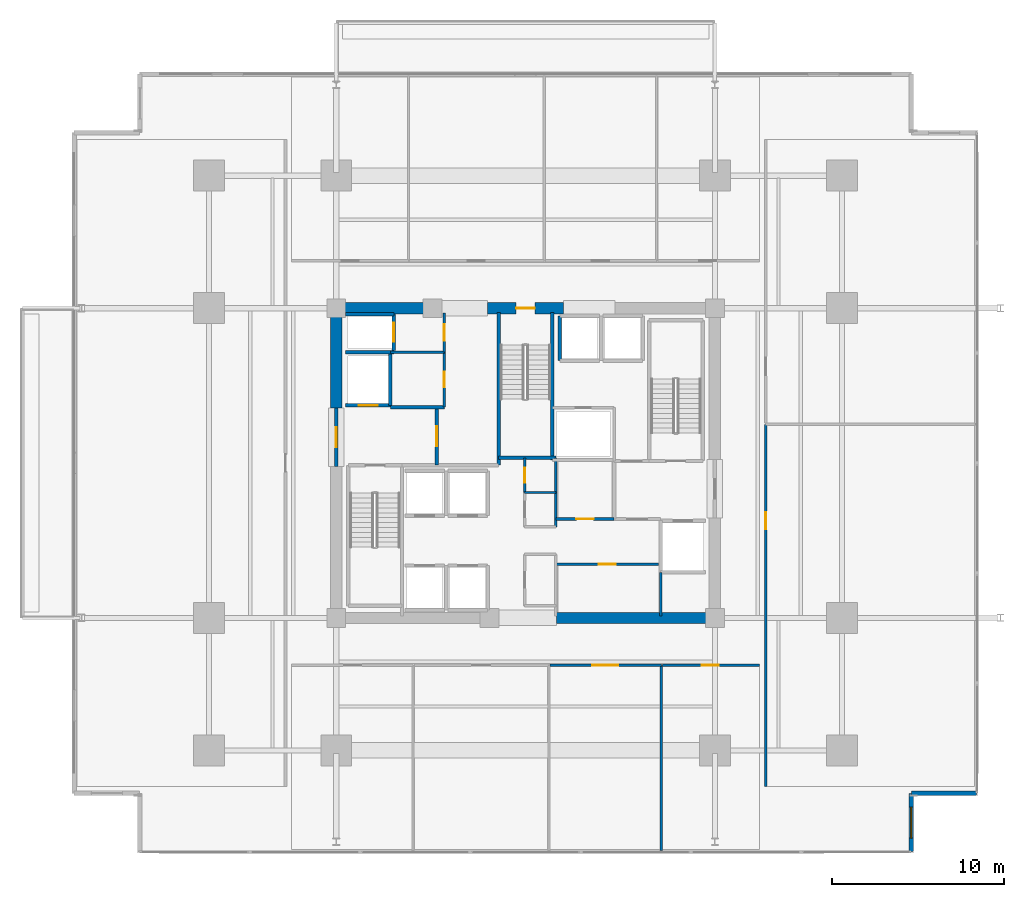
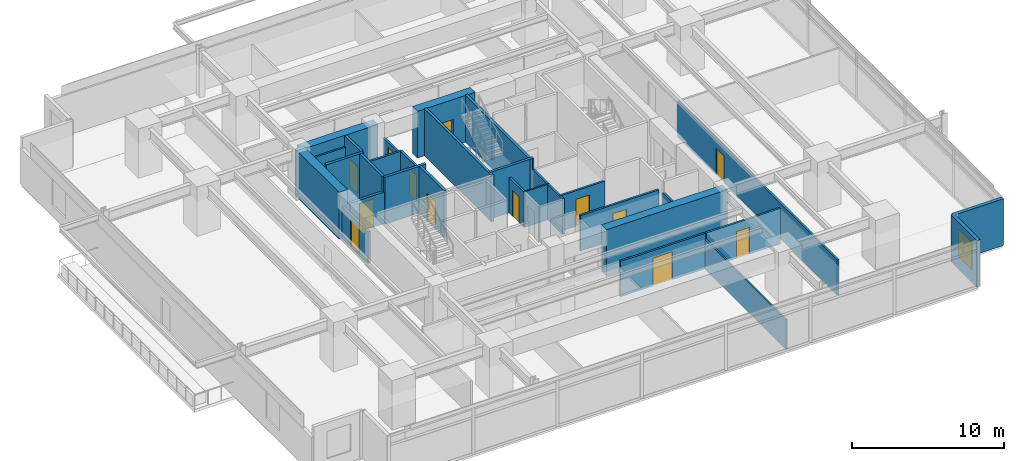
# One storey, part 16 of 22: 31 walls, 13 doors, 1 window, 14 openings.
"""IFC4 building model written with IfcOpenShell, lengths in metres."""

from ifc_helpers import new_model, si_unit, direction, frame, frame_2d, origin, place, context, subcontext, project, spatial, rectangle, extrude, material, layer, layer_set, type_object, element, fill, save


model = new_model("IFC4")

# Units and contexts
model_context = context("Model", 3, precision=1e-05, world=origin(), true_north=direction((0.0, 1.0)))
body_context = subcontext(model_context, "Body", "Model", "MODEL_VIEW")
ifc_project = project(units=[si_unit("LENGTHUNIT", "METRE"), si_unit("AREAUNIT", "SQUARE_METRE"), si_unit("VOLUMEUNIT", "CUBIC_METRE"), si_unit("PLANEANGLEUNIT", "RADIAN"), si_unit("MASSUNIT", "GRAM", prefix="KILO")], contexts=[model_context])

# Site, building, storey
site_placement = place(None, origin())
site = spatial("IfcSite", under=ifc_project, at=site_placement, CompositionType="ELEMENT")
building_placement = place(site_placement, origin())
building = spatial("IfcBuilding", under=site, at=building_placement, Name="Kovane Verandah Tower", CompositionType="ELEMENT")
storey_placement = place(building_placement, frame((0.0, 0.0, 79.60009765625)))
storey = spatial("IfcBuildingStorey", under=building, at=storey_placement, Name="L18", CompositionType="ELEMENT", Elevation=79.60009765625)

# Wall
ifc_material_1 = material(Name="Fire-Rated Gypsum Stud Partition", Category="gypsum")
ifc_layer_1 = layer(ifc_material_1, 0.14990234375)
ifc_layer_set_1 = layer_set([ifc_layer_1], Name="Fire-Rated Gypsum Stud Partition")
wall_type_1 = type_object("IfcWallType", Name="WL-COR-150", PredefinedType="PARTITIONING", material=ifc_layer_set_1)
wall_1_placement = place(storey_placement, frame((41.760009765625, 23.800048828125, 0.0), z_axis=(0.0, 0.0, 1.0), x_axis=(0.0, 1.0, 0.0)))
element("IfcWall", 1, at=wall_1_placement, inside=storey, type_object=wall_type_1, Name="L18 Central Core Strip Upper East Wall", PredefinedType="PARTITIONING", context=body_context, shape_type="SweptSolid", body=[
    extrude(rectangle(XDim=4.0, YDim=0.14990234375, at=frame_2d((2.0, 0.0))), origin(), (0.0, 0.0, 1.0), 2.849853515625),
])

# Wall, opening, door
wall_2_placement = place(storey_placement, frame((39.949951171875, 25.800048828125, 0.0), z_axis=(0.0, 0.0, 1.0), x_axis=(0.0, 1.0, 0.0)))
wall_2 = element("IfcWall", 2, at=wall_2_placement, inside=storey, type_object=wall_type_1, Name="L18 Telecom and BMS Riser Room Partition", PredefinedType="PARTITIONING", context=body_context, shape_type="SweptSolid", body=[
    extrude(rectangle(XDim=2.0, YDim=0.14990234375, at=frame_2d((1.0, 0.0))), origin(), (0.0, 0.0, 1.0), 2.849853515625),
])
opening_1_placement = place(wall_2_placement, frame((0.56005859375, 0.0, 0.0)))
opening_1 = element("IfcOpeningElement", 3, at=opening_1_placement, cuts=wall_2, Name="Opening DR-L18-025", PredefinedType="OPENING", context=body_context, shape_type="SweptSolid", body=[
    extrude(rectangle(XDim=0.8798828125, YDim=2.10009765625, at=frame_2d((0.43994140625, 1.050048828125))), frame((0.0, 0.074951171875, 0.0), z_axis=(0.0, -1.0, 0.0), x_axis=(1.0, 0.0, 0.0)), (0.0, 0.0, 1.0), 0.14990234375),
])
ifc_material_2 = material(Name="Fire-Rated Steel Riser Access Door", Category="steel")
door_type_1 = type_object("IfcDoorType", Name="DR-RISER-880", OperationType="SINGLE_SWING_LEFT", PredefinedType="DOOR", material=ifc_material_2)
door_1_placement = place(opening_1_placement, origin())
door_1 = element("IfcDoor", 4, at=door_1_placement, inside=storey, type_object=door_type_1, Name="L18 Telecom and BMS Riser Room Door", OperationType="SINGLE_SWING_RIGHT", OverallHeight=2.10009765625, OverallWidth=0.8798828125, PredefinedType="DOOR", context=body_context, shape_type="SweptSolid", body=[
    extrude(rectangle(XDim=0.8798828125, YDim=2.10009765625, at=frame_2d((0.43994140625, 1.050048828125))), frame((0.0, 0.02490234375, 0.0), z_axis=(0.0, -1.0, 0.0), x_axis=(1.0, 0.0, 0.0)), (0.0, 0.0, 1.0), 0.050048828125),
])
fill(opening_1, door_1)

# Wall
wall_3_placement = place(storey_placement, frame((32.14990234375, 33.949951171875, 0.0), z_axis=(0.0, 0.0, 1.0), x_axis=(1.0, 0.0, 0.0)))
element("IfcWall", 5, at=wall_3_placement, inside=storey, type_object=wall_type_1, Name="L18 Goods Lift Lobby South Wall", PredefinedType="PARTITIONING", context=body_context, shape_type="SweptSolid", body=[
    extrude(rectangle(XDim=3.130126953125, YDim=0.14990234375, at=frame_2d((1.56494140625, 0.0))), origin(), (0.0, 0.0, 1.0), 2.849853515625),
])

# Wall, opening, door
wall_4_placement = place(storey_placement, frame((35.280029296875, 33.949951171875, 0.0), z_axis=(0.0, 0.0, 1.0), x_axis=(0.0, 1.0, 0.0)))
wall_4 = element("IfcWall", 6, at=wall_4_placement, inside=storey, type_object=wall_type_1, Name="L18 Goods Lift Lobby East Fire Partition", PredefinedType="PARTITIONING", context=body_context, shape_type="SweptSolid", body=[
    extrude(rectangle(XDim=2.27001953125, YDim=0.14990234375, at=frame_2d((1.135009765625, 0.0))), origin(), (0.0, 0.0, 1.0), 2.539794921875),
])
opening_2_placement = place(wall_4_placement, frame((0.659912109375, 0.0, 0.0)))
opening_2 = element("IfcOpeningElement", 7, at=opening_2_placement, cuts=wall_4, Name="Opening DR-L18-008", PredefinedType="OPENING", context=body_context, shape_type="SweptSolid", body=[
    extrude(rectangle(XDim=0.949951171875, YDim=2.14990234375, at=frame_2d((0.47509765625, 1.074951171875))), frame((0.0, 0.074951171875, 0.0), z_axis=(0.0, -1.0, 0.0), x_axis=(1.0, 0.0, 0.0)), (0.0, 0.0, 1.0), 0.14990234375),
])
ifc_material_3 = material(Name="Fire-Rated Steel Refuge and Lobby Door", Category="steel")
door_type_2 = type_object("IfcDoorType", Name="DR-FIRE-950", OperationType="SINGLE_SWING_LEFT", PredefinedType="DOOR", material=ifc_material_3)
door_2_placement = place(opening_2_placement, origin())
door_2 = element("IfcDoor", 8, at=door_2_placement, inside=storey, type_object=door_type_2, Name="L18 Goods Lift Lobby Fire Door", OperationType="SINGLE_SWING_LEFT", OverallHeight=2.14990234375, OverallWidth=0.949951171875, PredefinedType="DOOR", context=body_context, shape_type="SweptSolid", body=[
    extrude(rectangle(XDim=0.949951171875, YDim=2.14990234375, at=frame_2d((0.47509765625, 1.074951171875))), frame((0.0, 0.02490234375, 0.0), z_axis=(0.0, -1.0, 0.0), x_axis=(1.0, 0.0, 0.0)), (0.0, 0.0, 1.0), 0.050048828125),
])
fill(opening_2, door_2)

wall_5_placement = place(storey_placement, frame((35.280029296875, 30.75, 0.0), z_axis=(0.0, 0.0, 1.0), x_axis=(0.0, 1.0, 0.0)))
wall_5 = element("IfcWall", 9, at=wall_5_placement, inside=storey, type_object=wall_type_1, Name="L18 Accessible Unisex Toilet Partition", PredefinedType="PARTITIONING", context=body_context, shape_type="SweptSolid", body=[
    extrude(rectangle(XDim=3.199951171875, YDim=0.14990234375, at=frame_2d((1.60009765625, 0.0))), origin(), (0.0, 0.0, 1.0), 2.849853515625),
])
opening_3_placement = place(wall_5_placement, frame((1.14990234375, 0.0, 0.0)))
opening_3 = element("IfcOpeningElement", 10, at=opening_3_placement, cuts=wall_5, Name="Opening DR-L18-026", PredefinedType="OPENING", context=body_context, shape_type="SweptSolid", body=[
    extrude(rectangle(XDim=0.89990234375, YDim=2.10009765625, at=frame_2d((0.449951171875, 1.050048828125))), frame((0.0, 0.074951171875, 0.0), z_axis=(0.0, -1.0, 0.0), x_axis=(1.0, 0.0, 0.0)), (0.0, 0.0, 1.0), 0.14990234375),
])
ifc_material_4 = material(Name="Moisture-Resistant Laminate Washroom Door", Category="wood")
door_type_3 = type_object("IfcDoorType", Name="DR-WC-900", OperationType="SINGLE_SWING_LEFT", PredefinedType="DOOR", material=ifc_material_4)
door_3_placement = place(opening_3_placement, origin())
door_3 = element("IfcDoor", 11, at=door_3_placement, inside=storey, type_object=door_type_3, Name="L18 Accessible Unisex Toilet Door", OperationType="SINGLE_SWING_RIGHT", OverallHeight=2.10009765625, OverallWidth=0.89990234375, PredefinedType="DOOR", context=body_context, shape_type="SweptSolid", body=[
    extrude(rectangle(XDim=0.89990234375, YDim=2.10009765625, at=frame_2d((0.449951171875, 1.050048828125))), frame((0.0, 0.02490234375, 0.0), z_axis=(0.0, -1.0, 0.0), x_axis=(1.0, 0.0, 0.0)), (0.0, 0.0, 1.0), 0.050048828125),
])
fill(opening_3, door_3)

# Wall
wall_6_placement = place(storey_placement, frame((47.85009765625, 18.60009765625, 0.0), z_axis=(0.0, 0.0, 1.0), x_axis=(0.0, 1.0, 0.0)))
element("IfcWall", 12, at=wall_6_placement, inside=storey, type_object=wall_type_1, Name="L18 East Core Support East Wall", PredefinedType="PARTITIONING", context=body_context, shape_type="SweptSolid", body=[
    extrude(rectangle(XDim=2.539794921875, YDim=0.14990234375, at=frame_2d((1.27001953125, 0.0))), origin(), (0.0, 0.0, 1.0), 2.849853515625),
])

# Wall, opening, door
wall_7_placement = place(storey_placement, frame((41.760009765625, 21.6201171875, 0.0), z_axis=(0.0, 0.0, 1.0), x_axis=(1.0, 0.0, 0.0)))
wall_7 = element("IfcWall", 13, at=wall_7_placement, inside=storey, type_object=wall_type_1, Name="L18 Records Vault Room Partition", PredefinedType="PARTITIONING", context=body_context, shape_type="SweptSolid", body=[
    extrude(rectangle(XDim=5.97998046875, YDim=0.14990234375, at=frame_2d((2.989990234375, 0.0))), origin(), (0.0, 0.0, 1.0), 2.849853515625),
])
opening_4_placement = place(wall_7_placement, frame((2.489990234375, 0.0, 0.0)))
opening_4 = element("IfcOpeningElement", 14, at=opening_4_placement, cuts=wall_7, Name="Opening DR-L18-014", PredefinedType="OPENING", context=body_context, shape_type="SweptSolid", body=[
    extrude(rectangle(XDim=1.0, YDim=2.14990234375, at=frame_2d((0.5, 1.074951171875))), frame((0.0, 0.074951171875, 0.0), z_axis=(0.0, -1.0, 0.0), x_axis=(1.0, 0.0, 0.0)), (0.0, 0.0, 1.0), 0.14990234375),
])
ifc_material_5 = material(Name="FSC Spotted-Gum Timber Fire-Rated Office Door", Category="wood")
door_type_4 = type_object("IfcDoorType", Name="DR-OFF-1000", OperationType="SINGLE_SWING_LEFT", PredefinedType="DOOR", material=ifc_material_5)
door_4_placement = place(opening_4_placement, origin())
door_4 = element("IfcDoor", 15, at=door_4_placement, inside=storey, type_object=door_type_4, Name="L18 Records Vault Room Door", OperationType="SINGLE_SWING_LEFT", OverallHeight=2.14990234375, OverallWidth=1.0, PredefinedType="DOOR", context=body_context, shape_type="SweptSolid", body=[
    extrude(rectangle(XDim=1.0, YDim=2.14990234375, at=frame_2d((0.5, 1.074951171875))), frame((0.0, 0.02490234375, 0.0), z_axis=(0.0, -1.0, 0.0), x_axis=(1.0, 0.0, 0.0)), (0.0, 0.0, 1.0), 0.050048828125),
])
fill(opening_4, door_4)

wall_8_placement = place(storey_placement, frame((41.760009765625, 24.25, 0.0), z_axis=(0.0, 0.0, 1.0), x_axis=(1.0, 0.0, 0.0)))
wall_8 = element("IfcWall", 16, at=wall_8_placement, inside=storey, type_object=wall_type_1, Name="L18 Document Archive Room Partition", PredefinedType="PARTITIONING", context=body_context, shape_type="SweptSolid", body=[
    extrude(rectangle(XDim=3.389892578125, YDim=0.14990234375, at=frame_2d((1.69482421875, 0.0))), origin(), (0.0, 0.0, 1.0), 2.849853515625),
])
opening_5_placement = place(wall_8_placement, frame((1.195068359375, 0.0, 0.0)))
opening_5 = element("IfcOpeningElement", 17, at=opening_5_placement, cuts=wall_8, Name="Opening DR-L18-015", PredefinedType="OPENING", context=body_context, shape_type="SweptSolid", body=[
    extrude(rectangle(XDim=1.0, YDim=2.14990234375, at=frame_2d((0.5, 1.074951171875))), frame((0.0, 0.074951171875, 0.0), z_axis=(0.0, -1.0, 0.0), x_axis=(1.0, 0.0, 0.0)), (0.0, 0.0, 1.0), 0.14990234375),
])
door_5_placement = place(opening_5_placement, origin())
door_5 = element("IfcDoor", 18, at=door_5_placement, inside=storey, type_object=door_type_4, Name="L18 Document Archive Room Door", OperationType="SINGLE_SWING_RIGHT", OverallHeight=2.14990234375, OverallWidth=1.0, PredefinedType="DOOR", context=body_context, shape_type="SweptSolid", body=[
    extrude(rectangle(XDim=1.0, YDim=2.14990234375, at=frame_2d((0.5, 1.074951171875))), frame((0.0, 0.02490234375, 0.0), z_axis=(0.0, -1.0, 0.0), x_axis=(1.0, 0.0, 0.0)), (0.0, 0.0, 1.0), 0.050048828125),
])
fill(opening_5, door_5)

wall_9_placement = place(storey_placement, frame((41.429931640625, 15.75, 0.0), z_axis=(0.0, 0.0, 1.0), x_axis=(1.0, 0.0, 0.0)))
wall_9 = element("IfcWall", 19, at=wall_9_placement, inside=storey, type_object=wall_type_1, Name="L18 Client Boardroom S3 Corridor Partition", PredefinedType="PARTITIONING", context=body_context, shape_type="SweptSolid", body=[
    extrude(rectangle(XDim=6.4580078125, YDim=0.14990234375, at=frame_2d((3.22900390625, 0.0))), origin(), (0.0, 0.0, 1.0), 2.849853515625),
])
opening_6_placement = place(wall_9_placement, frame((2.444091796875, 0.0, 0.0)))
opening_6 = element("IfcOpeningElement", 20, at=opening_6_placement, cuts=wall_9, Name="Opening DR-L18-023", PredefinedType="OPENING", context=body_context, shape_type="SweptSolid", body=[
    extrude(rectangle(XDim=1.5, YDim=2.25, at=frame_2d((0.75, 1.125))), frame((0.0, 0.074951171875, 0.0), z_axis=(0.0, -1.0, 0.0), x_axis=(1.0, 0.0, 0.0)), (0.0, 0.0, 1.0), 0.14990234375),
])
ifc_material_6 = material(Name="Glazed Timber Fire-Rated Double Door", Category="wood")
door_type_5 = type_object("IfcDoorType", Name="DR-CONF-1500", OperationType="DOUBLE_DOOR_SINGLE_SWING", PredefinedType="DOOR", material=ifc_material_6)
door_6_placement = place(opening_6_placement, origin())
door_6 = element("IfcDoor", 21, at=door_6_placement, inside=storey, type_object=door_type_5, Name="L18 Client Boardroom S3 Entrance Door", OperationType="DOUBLE_DOOR_SINGLE_SWING", OverallHeight=2.25, OverallWidth=1.5, PredefinedType="DOOR", context=body_context, shape_type="SweptSolid", body=[
    extrude(rectangle(XDim=1.5, YDim=2.25, at=frame_2d((0.75, 1.125))), frame((0.0, 0.02490234375, 0.0), z_axis=(0.0, -1.0, 0.0), x_axis=(1.0, 0.0, 0.0)), (0.0, 0.0, 1.0), 0.050048828125),
])
fill(opening_6, door_6)

wall_10_placement = place(storey_placement, frame((47.9580078125, 15.75, 0.0), z_axis=(0.0, 0.0, 1.0), x_axis=(1.0, 0.0, 0.0)))
wall_10 = element("IfcWall", 22, at=wall_10_placement, inside=storey, type_object=wall_type_1, Name="L18 Meeting Room S4 Corridor Partition", PredefinedType="PARTITIONING", context=body_context, shape_type="SweptSolid", body=[
    extrude(rectangle(XDim=5.64208984375, YDim=0.14990234375, at=frame_2d((2.821044921875, 0.0))), origin(), (0.0, 0.0, 1.0), 2.849853515625),
])
opening_7_placement = place(wall_10_placement, frame((2.27099609375, 0.0, 0.0)))
opening_7 = element("IfcOpeningElement", 23, at=opening_7_placement, cuts=wall_10, Name="Opening DR-L18-024", PredefinedType="OPENING", context=body_context, shape_type="SweptSolid", body=[
    extrude(rectangle(XDim=1.0, YDim=2.14990234375, at=frame_2d((0.5, 1.074951171875))), frame((0.0, 0.074951171875, 0.0), z_axis=(0.0, -1.0, 0.0), x_axis=(1.0, 0.0, 0.0)), (0.0, 0.0, 1.0), 0.14990234375),
])
door_7_placement = place(opening_7_placement, origin())
door_7 = element("IfcDoor", 24, at=door_7_placement, inside=storey, type_object=door_type_4, Name="L18 Meeting Room S4 Entrance Door", OperationType="SINGLE_SWING_LEFT", OverallHeight=2.14990234375, OverallWidth=1.0, PredefinedType="DOOR", context=body_context, shape_type="SweptSolid", body=[
    extrude(rectangle(XDim=1.0, YDim=2.14990234375, at=frame_2d((0.5, 1.074951171875))), frame((0.0, 0.02490234375, 0.0), z_axis=(0.0, -1.0, 0.0), x_axis=(1.0, 0.0, 0.0)), (0.0, 0.0, 1.0), 0.050048828125),
])
fill(opening_7, door_7)

wall_11_placement = place(storey_placement, frame((53.949951171875, 8.699951171875, 0.0), z_axis=(0.0, 0.0, 1.0), x_axis=(0.0, 1.0, 0.0)))
wall_11 = element("IfcWall", 25, at=wall_11_placement, inside=storey, type_object=wall_type_1, Name="L18 Breakout Pantry E1 Corridor Partition", PredefinedType="PARTITIONING", context=body_context, shape_type="SweptSolid", body=[
    extrude(rectangle(XDim=21.05615234375, YDim=0.14990234375, at=frame_2d((10.528076171875, 0.0))), origin(), (0.0, 0.0, 1.0), 2.849853515625),
])
opening_8_placement = place(wall_11_placement, frame((14.943115234375, 0.0, 0.0)))
opening_8 = element("IfcOpeningElement", 26, at=opening_8_placement, cuts=wall_11, Name="Opening DR-L18-012", PredefinedType="OPENING", context=body_context, shape_type="SweptSolid", body=[
    extrude(rectangle(XDim=1.0, YDim=2.14990234375, at=frame_2d((0.5, 1.074951171875))), frame((0.0, 0.074951171875, 0.0), z_axis=(0.0, -1.0, 0.0), x_axis=(1.0, 0.0, 0.0)), (0.0, 0.0, 1.0), 0.14990234375),
])
door_8_placement = place(opening_8_placement, origin())
door_8 = element("IfcDoor", 27, at=door_8_placement, inside=storey, type_object=door_type_4, Name="L18 Breakout Pantry E1 Entrance Door", OperationType="SINGLE_SWING_LEFT", OverallHeight=2.14990234375, OverallWidth=1.0, PredefinedType="DOOR", context=body_context, shape_type="SweptSolid", body=[
    extrude(rectangle(XDim=1.0, YDim=2.14990234375, at=frame_2d((0.5, 1.074951171875))), frame((0.0, 0.02490234375, 0.0), z_axis=(0.0, -1.0, 0.0), x_axis=(1.0, 0.0, 0.0)), (0.0, 0.0, 1.0), 0.050048828125),
])
fill(opening_8, door_8)

# Walls
ifc_material_7 = material(Name="Concrete C80/95", Category="concrete")
ifc_layer_2 = layer(ifc_material_7, 0.64990234375)
ifc_layer_set_2 = layer_set([ifc_layer_2], Name="Concrete C80/95")
wall_type_2 = type_object("IfcWallType", Name="WL-CORE-650", PredefinedType="SHEAR", material=ifc_layer_set_2)
wall_12_placement = place(storey_placement, frame((41.800048828125, 18.5, 0.0), z_axis=(0.0, 0.0, 1.0), x_axis=(1.0, 0.0, 0.0)))
element("IfcWall", 28, at=wall_12_placement, inside=storey, type_object=wall_type_2, Name="L18 Core Shear Wall CS-2", PredefinedType="SHEAR", context=body_context, shape_type="SweptSolid", body=[
    extrude(rectangle(XDim=9.199951171875, YDim=0.64990234375, at=frame_2d((4.60009765625, 0.0))), origin(), (0.0, 0.0, 1.0), 3.760009765625),
])
wall_13_placement = place(storey_placement, frame((29.0, 36.5, 0.0), z_axis=(0.0, 0.0, 1.0), x_axis=(1.0, 0.0, 0.0)))
element("IfcWall", 29, at=wall_13_placement, inside=storey, type_object=wall_type_2, Name="L18 Core Shear Wall CN-1", PredefinedType="SHEAR", context=body_context, shape_type="SweptSolid", body=[
    extrude(rectangle(XDim=5.800048828125, YDim=0.64990234375, at=frame_2d((2.89990234375, 0.0))), origin(), (0.0, 0.0, 1.0), 3.760009765625),
])

# Wall, opening, door
wall_14_placement = place(storey_placement, frame((37.800048828125, 36.5, 0.0), z_axis=(0.0, 0.0, 1.0), x_axis=(1.0, 0.0, 0.0)))
wall_14 = element("IfcWall", 30, at=wall_14_placement, inside=storey, type_object=wall_type_2, Name="L18 Core Shear Wall CN-2", PredefinedType="SHEAR", context=body_context, shape_type="SweptSolid", body=[
    extrude(rectangle(XDim=4.39990234375, YDim=0.64990234375, at=frame_2d((2.199951171875, 0.0))), origin(), (0.0, 0.0, 1.0), 3.760009765625),
])
opening_9_placement = place(wall_14_placement, frame((1.64990234375, 0.0, 0.0)))
opening_9 = element("IfcOpeningElement", 31, at=opening_9_placement, cuts=wall_14, Name="Opening DR-L18-011", PredefinedType="OPENING", context=body_context, shape_type="SweptSolid", body=[
    extrude(rectangle(XDim=1.10009765625, YDim=2.14990234375, at=frame_2d((0.550048828125, 1.074951171875))), frame((0.0, 0.324951171875, 0.0), z_axis=(0.0, -1.0, 0.0), x_axis=(1.0, 0.0, 0.0)), (0.0, 0.0, 1.0), 0.64990234375),
])
ifc_material_8 = material(Name="Fire-Rated Steel Exit Door", Category="steel")
door_type_6 = type_object("IfcDoorType", Name="DR-STAIR-1100", OperationType="SINGLE_SWING_LEFT", PredefinedType="DOOR", material=ifc_material_8)
door_9_placement = place(opening_9_placement, origin())
door_9 = element("IfcDoor", 32, at=door_9_placement, inside=storey, type_object=door_type_6, Name="L18 ST-03 Fire Exit Stair Door", OperationType="SINGLE_SWING_LEFT", OverallHeight=2.14990234375, OverallWidth=1.10009765625, PredefinedType="DOOR", context=body_context, shape_type="SweptSolid", body=[
    extrude(rectangle(XDim=1.10009765625, YDim=2.14990234375, at=frame_2d((0.550048828125, 1.074951171875))), frame((0.0, 0.02490234375, 0.0), z_axis=(0.0, -1.0, 0.0), x_axis=(1.0, 0.0, 0.0)), (0.0, 0.0, 1.0), 0.050048828125),
])
fill(opening_9, door_9)

# Wall
wall_15_placement = place(storey_placement, frame((29.0, 30.699951171875, 0.0), z_axis=(0.0, 0.0, 1.0), x_axis=(0.0, 1.0, 0.0)))
element("IfcWall", 33, at=wall_15_placement, inside=storey, type_object=wall_type_2, Name="L18 Core Shear Wall CW-2", PredefinedType="SHEAR", context=body_context, shape_type="SweptSolid", body=[
    extrude(rectangle(XDim=5.800048828125, YDim=0.64990234375, at=frame_2d((2.89990234375, 0.0))), origin(), (0.0, 0.0, 1.0), 3.760009765625),
])

# Wall, opening, door
ifc_material_9 = material(Name="Concrete C45/55 Fire Wall", Category="concrete")
ifc_layer_3 = layer(ifc_material_9, 0.199951171875)
ifc_layer_set_3 = layer_set([ifc_layer_3], Name="Concrete C45/55 Fire Wall")
wall_type_3 = type_object("IfcWallType", Name="WL-FFL-200", PredefinedType="PARTITIONING", material=ifc_layer_set_3)
wall_16_placement = place(storey_placement, frame((34.85009765625, 27.3798828125, 0.0), z_axis=(0.0, 0.0, 1.0), x_axis=(0.0, 1.0, 0.0)))
wall_16 = element("IfcWall", 34, at=wall_16_placement, inside=storey, type_object=wall_type_3, Name="W-L18-FFLW-E", PredefinedType="PARTITIONING", context=body_context, shape_type="SweptSolid", body=[
    extrude(rectangle(XDim=3.3701171875, YDim=0.199951171875, at=frame_2d((1.68505859375, 0.0))), origin(), (0.0, 0.0, 1.0), 3.760009765625),
])
opening_10_placement = place(wall_16_placement, frame((1.110107421875, 0.0, 0.0)))
opening_10 = element("IfcOpeningElement", 35, at=opening_10_placement, cuts=wall_16, Name="Opening DR-L18-006", PredefinedType="OPENING", context=body_context, shape_type="SweptSolid", body=[
    extrude(rectangle(XDim=1.14990234375, YDim=2.199951171875, at=frame_2d((0.574951171875, 1.10009765625))), frame((0.0, 0.10009765625, 0.0), z_axis=(0.0, -1.0, 0.0), x_axis=(1.0, 0.0, 0.0)), (0.0, 0.0, 1.0), 0.199951171875),
])
ifc_material_10 = material(Name="Smoke-Sealed Firefighting Lobby Door", Category="steel")
door_type_7 = type_object("IfcDoorType", Name="DR-FFL-1150", OperationType="SINGLE_SWING_LEFT", PredefinedType="DOOR", material=ifc_material_10)
door_10_placement = place(opening_10_placement, origin())
door_10 = element("IfcDoor", 36, at=door_10_placement, inside=storey, type_object=door_type_7, Name="L18 West Firefighting Lobby Inner Door", OperationType="SINGLE_SWING_LEFT", OverallHeight=2.199951171875, OverallWidth=1.14990234375, PredefinedType="DOOR", context=body_context, shape_type="SweptSolid", body=[
    extrude(rectangle(XDim=1.14990234375, YDim=2.199951171875, at=frame_2d((0.574951171875, 1.10009765625))), frame((0.0, 0.02490234375, 0.0), z_axis=(0.0, -1.0, 0.0), x_axis=(1.0, 0.0, 0.0)), (0.0, 0.0, 1.0), 0.050048828125),
])
fill(opening_10, door_10)

wall_17_placement = place(storey_placement, frame((29.0, 27.300048828125, 0.0), z_axis=(0.0, 0.0, 1.0), x_axis=(0.0, 1.0, 0.0)))
wall_17 = element("IfcWall", 37, at=wall_17_placement, inside=storey, type_object=wall_type_3, Name="W-L18-FFLW-OUT", PredefinedType="PARTITIONING", context=body_context, shape_type="SweptSolid", body=[
    extrude(rectangle(XDim=3.39990234375, YDim=0.199951171875, at=frame_2d((1.699951171875, 0.0))), origin(), (0.0, 0.0, 1.0), 2.539794921875),
])
opening_11_placement = place(wall_17_placement, frame((1.125, 0.0, 0.0)))
opening_11 = element("IfcOpeningElement", 38, at=opening_11_placement, cuts=wall_17, Name="Opening DR-L18-007", PredefinedType="OPENING", context=body_context, shape_type="SweptSolid", body=[
    extrude(rectangle(XDim=1.14990234375, YDim=2.199951171875, at=frame_2d((0.574951171875, 1.10009765625))), frame((0.0, 0.10009765625, 0.0), z_axis=(0.0, -1.0, 0.0), x_axis=(1.0, 0.0, 0.0)), (0.0, 0.0, 1.0), 0.199951171875),
])
door_11_placement = place(opening_11_placement, origin())
door_11 = element("IfcDoor", 39, at=door_11_placement, inside=storey, type_object=door_type_7, Name="L18 West Firefighting Lobby Corridor Door", OperationType="SINGLE_SWING_RIGHT", OverallHeight=2.199951171875, OverallWidth=1.14990234375, PredefinedType="DOOR", context=body_context, shape_type="SweptSolid", body=[
    extrude(rectangle(XDim=1.14990234375, YDim=2.199951171875, at=frame_2d((0.574951171875, 1.10009765625))), frame((0.0, 0.02490234375, 0.0), z_axis=(0.0, -1.0, 0.0), x_axis=(1.0, 0.0, 0.0)), (0.0, 0.0, 1.0), 0.050048828125),
])
fill(opening_11, door_11)

# Wall
wall_18_placement = place(storey_placement, frame((32.14990234375, 30.75, 0.0), z_axis=(0.0, 0.0, 1.0), x_axis=(1.0, 0.0, 0.0)))
element("IfcWall", 40, at=wall_18_placement, inside=storey, type_object=wall_type_3, Name="L18 West Firefighting Lobby North Fire Wall", PredefinedType="PARTITIONING", context=body_context, shape_type="SweptSolid", body=[
    extrude(rectangle(XDim=3.130126953125, YDim=0.199951171875, at=frame_2d((1.56494140625, 0.0))), origin(), (0.0, 0.0, 1.0), 3.760009765625),
])

# Wall, opening, door
ifc_material_11 = material(Name="Concrete C45/55 Lift Shaft Wall", Category="concrete")
ifc_layer_4 = layer(ifc_material_11, 0.199951171875)
ifc_layer_set_4 = layer_set([ifc_layer_4], Name="Concrete C45/55 Lift Shaft Wall")
wall_type_4 = type_object("IfcWallType", Name="WL-LIFT-200", PredefinedType="SOLIDWALL", material=ifc_layer_set_4)
wall_19_placement = place(storey_placement, frame((29.550048828125, 30.85009765625, 0.0), z_axis=(0.0, 0.0, 1.0), x_axis=(1.0, 0.0, 0.0)))
wall_19 = element("IfcWall", 41, at=wall_19_placement, inside=storey, type_object=wall_type_4, Name="L18 Lift FL-01 S Shaft Wall", PredefinedType="SOLIDWALL", context=body_context, shape_type="SweptSolid", body=[
    extrude(rectangle(XDim=2.599853515625, YDim=0.199951171875, at=frame_2d((1.2998046875, 0.0))), origin(), (0.0, 0.0, 1.0), 2.539794921875),
])
opening_12_placement = place(wall_19_placement, frame((0.75, 0.0, 0.0)))
opening_12 = element("IfcOpeningElement", 42, at=opening_12_placement, cuts=wall_19, Name="Opening LD-L18-001", PredefinedType="OPENING", context=body_context, shape_type="SweptSolid", body=[
    extrude(rectangle(XDim=1.10009765625, YDim=2.199951171875, at=frame_2d((0.550048828125, 1.10009765625))), frame((0.0, 0.10009765625, 0.0), z_axis=(0.0, -1.0, 0.0), x_axis=(1.0, 0.0, 0.0)), (0.0, 0.0, 1.0), 0.199951171875),
])
ifc_material_12 = material(Name="Brushed Stainless Steel Sliding Lift Landing Door", Category="steel")
door_type_8 = type_object("IfcDoorType", Name="DR-LIFT-1100", OperationType="SLIDING_TO_RIGHT", PredefinedType="DOOR", material=ifc_material_12)
door_12_placement = place(opening_12_placement, origin())
door_12 = element("IfcDoor", 43, at=door_12_placement, inside=storey, type_object=door_type_8, Name="L18 Lift FL-01 Sliding Landing Door", OperationType="SLIDING_TO_RIGHT", OverallHeight=2.199951171875, OverallWidth=1.10009765625, PredefinedType="DOOR", context=body_context, shape_type="SweptSolid", body=[
    extrude(rectangle(XDim=1.10009765625, YDim=2.199951171875, at=frame_2d((0.550048828125, 1.10009765625))), frame((0.0, 0.02490234375, 0.0), z_axis=(0.0, -1.0, 0.0), x_axis=(1.0, 0.0, 0.0)), (0.0, 0.0, 1.0), 0.050048828125),
])
fill(opening_12, door_12)

# Walls
wall_20_placement = place(storey_placement, frame((29.550048828125, 33.949951171875, 0.0), z_axis=(0.0, 0.0, 1.0), x_axis=(1.0, 0.0, 0.0)))
element("IfcWall", 44, at=wall_20_placement, inside=storey, type_object=wall_type_4, Name="L18 Lift FL-01 and GL-01 Shared Shaft Wall", PredefinedType="SOLIDWALL", context=body_context, shape_type="SweptSolid", body=[
    extrude(rectangle(XDim=2.800048828125, YDim=0.199951171875, at=frame_2d((1.39990234375, 0.0))), origin(), (0.0, 0.0, 1.0), 3.760009765625),
])
wall_21_placement = place(storey_placement, frame((32.14990234375, 30.85009765625, 0.0), z_axis=(0.0, 0.0, 1.0), x_axis=(0.0, 1.0, 0.0)))
element("IfcWall", 45, at=wall_21_placement, inside=storey, type_object=wall_type_4, Name="L18 Lift FL-01 E Shaft Wall", PredefinedType="SOLIDWALL", context=body_context, shape_type="SweptSolid", body=[
    extrude(rectangle(XDim=3.0, YDim=0.199951171875, at=frame_2d((1.5, 0.0))), origin(), (0.0, 0.0, 1.0), 3.760009765625),
])
wall_22_placement = place(storey_placement, frame((32.35009765625, 36.14990234375, 0.0), z_axis=(0.0, 0.0, 1.0), x_axis=(-1.0, 0.0, 0.0)))
element("IfcWall", 46, at=wall_22_placement, inside=storey, type_object=wall_type_4, Name="L18 Lift GL-01 N Shaft Wall", PredefinedType="SOLIDWALL", context=body_context, shape_type="SweptSolid", body=[
    extrude(rectangle(XDim=2.800048828125, YDim=0.199951171875, at=frame_2d((1.39990234375, 0.0))), origin(), (0.0, 0.0, 1.0), 2.88916015625),
])

# Wall, opening, door
wall_23_placement = place(storey_placement, frame((32.35009765625, 34.050048828125, 0.0), z_axis=(0.0, 0.0, 1.0), x_axis=(0.0, 1.0, 0.0)))
wall_23 = element("IfcWall", 47, at=wall_23_placement, inside=storey, type_object=wall_type_4, Name="L18 Lift GL-01 E Shaft Wall", PredefinedType="SOLIDWALL", context=body_context, shape_type="SweptSolid", body=[
    extrude(rectangle(XDim=2.099853515625, YDim=0.199951171875, at=frame_2d((1.0498046875, 0.0))), origin(), (0.0, 0.0, 1.0), 3.760009765625),
])
opening_13_placement = place(wall_23_placement, frame((0.5, 0.0, 0.0)))
opening_13 = element("IfcOpeningElement", 48, at=opening_13_placement, cuts=wall_23, Name="Opening LD-L18-003", PredefinedType="OPENING", context=body_context, shape_type="SweptSolid", body=[
    extrude(rectangle(XDim=1.10009765625, YDim=2.199951171875, at=frame_2d((0.550048828125, 1.10009765625))), frame((0.0, 0.10009765625, 0.0), z_axis=(0.0, -1.0, 0.0), x_axis=(1.0, 0.0, 0.0)), (0.0, 0.0, 1.0), 0.199951171875),
])
door_13_placement = place(opening_13_placement, origin())
door_13 = element("IfcDoor", 49, at=door_13_placement, inside=storey, type_object=door_type_8, Name="L18 Lift GL-01 Sliding Landing Door", OperationType="SLIDING_TO_RIGHT", OverallHeight=2.199951171875, OverallWidth=1.10009765625, PredefinedType="DOOR", context=body_context, shape_type="SweptSolid", body=[
    extrude(rectangle(XDim=1.10009765625, YDim=2.199951171875, at=frame_2d((0.550048828125, 1.10009765625))), frame((0.0, 0.02490234375, 0.0), z_axis=(0.0, -1.0, 0.0), x_axis=(1.0, 0.0, 0.0)), (0.0, 0.0, 1.0), 0.050048828125),
])
fill(opening_13, door_13)

# Walls
wall_24_placement = place(storey_placement, frame((42.0, 36.050048828125, 0.0), z_axis=(0.0, 0.0, 1.0), x_axis=(0.0, -1.0, 0.0)))
element("IfcWall", 50, at=wall_24_placement, inside=storey, type_object=wall_type_4, Name="L18 Lift SL-01 W Shaft Wall", PredefinedType="SOLIDWALL", context=body_context, shape_type="SweptSolid", body=[
    extrude(rectangle(XDim=2.60009765625, YDim=0.199951171875, at=frame_2d((1.300048828125, 0.0))), origin(), (0.0, 0.0, 1.0), 2.539794921875),
])
ifc_material_13 = material(Name="Acoustic Fire-Rated Gypsum Partition", Category="gypsum")
ifc_layer_5 = layer(ifc_material_13, 0.1201171875)
ifc_layer_set_5 = layer_set([ifc_layer_5], Name="Acoustic Fire-Rated Gypsum Partition")
wall_type_5 = type_object("IfcWallType", Name="WL-PART-120", PredefinedType="PARTITIONING", material=ifc_layer_set_5)
wall_25_placement = place(storey_placement, frame((39.949951171875, 25.800048828125, 0.0), z_axis=(0.0, 0.0, 1.0), x_axis=(1.0, 0.0, 0.0)))
element("IfcWall", 51, at=wall_25_placement, inside=storey, type_object=wall_type_5, Name="L18 Central Core Strip Upper Dividing Partition", PredefinedType="PARTITIONING", context=body_context, shape_type="SweptSolid", body=[
    extrude(rectangle(XDim=1.81005859375, YDim=0.1201171875, at=frame_2d((0.905029296875, 0.0))), origin(), (0.0, 0.0, 1.0), 2.849853515625),
])
wall_26_placement = place(storey_placement, frame((47.887939453125, 5.0, 0.0), z_axis=(0.0, 0.0, 1.0), x_axis=(0.0, 1.0, 0.0)))
element("IfcWall", 52, at=wall_26_placement, inside=storey, type_object=wall_type_5, Name="L18 Client Boardroom S3 Dividing Partition", PredefinedType="PARTITIONING", context=body_context, shape_type="SweptSolid", body=[
    extrude(rectangle(XDim=10.75, YDim=0.1201171875, at=frame_2d((5.375, 0.0))), origin(), (0.0, 0.0, 1.0), 2.389892578125),
])
ifc_material_14 = material(Name="Concrete C45/55", Category="concrete")
ifc_layer_6 = layer(ifc_material_14, 0.199951171875)
ifc_layer_set_6 = layer_set([ifc_layer_6], Name="Concrete C45/55")
wall_type_6 = type_object("IfcWallType", Name="WL-SHAFT-200", PredefinedType="SOLIDWALL", material=ifc_layer_set_6)
wall_27_placement = place(storey_placement, frame((38.43994140625, 27.3798828125, 0.0), z_axis=(0.0, 0.0, 1.0), x_axis=(0.0, 1.0, 0.0)))
element("IfcWall", 53, at=wall_27_placement, inside=storey, type_object=wall_type_6, Name="W-L18-ST03-W", PredefinedType="SOLIDWALL", context=body_context, shape_type="SweptSolid", body=[
    extrude(rectangle(XDim=8.8701171875, YDim=0.199951171875, at=frame_2d((4.43505859375, 0.0))), origin(), (0.0, 0.0, 1.0), 3.760009765625),
])
wall_28_placement = place(storey_placement, frame((41.56005859375, 27.679931640625, 0.0), z_axis=(0.0, 0.0, 1.0), x_axis=(0.0, 1.0, 0.0)))
element("IfcWall", 54, at=wall_28_placement, inside=storey, type_object=wall_type_6, Name="W-L18-ST03-E", PredefinedType="SOLIDWALL", context=body_context, shape_type="SweptSolid", body=[
    extrude(rectangle(XDim=8.570068359375, YDim=0.199951171875, at=frame_2d((4.28515625, 0.0))), origin(), (0.0, 0.0, 1.0), 3.760009765625),
])
wall_29_placement = place(storey_placement, frame((38.43994140625, 27.800048828125, 0.0), z_axis=(0.0, 0.0, 1.0), x_axis=(1.0, 0.0, 0.0)))
element("IfcWall", 55, at=wall_29_placement, inside=storey, type_object=wall_type_6, Name="W-L18-ST03-S", PredefinedType="SOLIDWALL", context=body_context, shape_type="SweptSolid", body=[
    extrude(rectangle(XDim=3.320068359375, YDim=0.199951171875, at=frame_2d((1.66015625, 0.0))), origin(), (0.0, 0.0, 1.0), 3.760009765625),
])

# Wall, opening, window
ifc_material_15 = material(Name="Concrete C45/55 Insulated Spandrel Wall", Category="concrete")
ifc_layer_7 = layer(ifc_material_15, 0.260009765625)
ifc_layer_set_7 = layer_set([ifc_layer_7], Name="Concrete C45/55 Insulated Spandrel Wall")
wall_type_7 = type_object("IfcWallType", Name="WL-SPANDREL-260", PredefinedType="PARAPET", material=ifc_layer_set_7)
wall_30_placement = place(storey_placement, frame((62.4287109375, 4.89990234375, 0.0), z_axis=(0.0, 0.0, 1.0), x_axis=(0.0, 1.0, 0.0)))
wall_30 = element("IfcWall", 56, at=wall_30_placement, inside=storey, type_object=wall_type_7, Name="L18 SE Notch Cheek Wall 1", PredefinedType="PARAPET", context=body_context, shape_type="SweptSolid", body=[
    extrude(rectangle(XDim=3.39990234375, YDim=0.260009765625, at=frame_2d((1.699951171875, 0.0))), origin(), (0.0, 0.0, 1.0), 3.760009765625),
])
opening_14_placement = place(wall_30_placement, frame((0.800048828125, 0.0, 0.85009765625)))
opening_14 = element("IfcOpeningElement", 57, at=opening_14_placement, cuts=wall_30, Name="Opening W-03", PredefinedType="OPENING", context=body_context, shape_type="SweptSolid", body=[
    extrude(rectangle(XDim=1.800048828125, YDim=2.199951171875, at=frame_2d((0.89990234375, 1.10009765625))), frame((0.0, 0.1298828125, 0.0), z_axis=(0.0, -1.0, 0.0), x_axis=(1.0, 0.0, 0.0)), (0.0, 0.0, 1.0), 0.260009765625),
])
ifc_material_16 = material(Name="Clear Low-E Laminated Double Glazing in Anodised Frame", Category="glass")
window_type = type_object("IfcWindowType", Name="WN-NOTCH-1800x2200", PartitioningType="SINGLE_PANEL", PredefinedType="WINDOW", material=ifc_material_16)
window_placement = place(opening_14_placement, origin())
window = element("IfcWindow", 58, at=window_placement, inside=storey, type_object=window_type, Name="L18 SE Re-Entrant Corner Operable Window", OverallHeight=2.199951171875, OverallWidth=1.800048828125, PartitioningType="SINGLE_PANEL", PredefinedType="WINDOW", context=body_context, shape_type="SweptSolid", body=[
    extrude(rectangle(XDim=1.800048828125, YDim=2.199951171875, at=frame_2d((0.89990234375, 1.10009765625))), frame((0.0, 0.030029296875, 0.0), z_axis=(0.0, -1.0, 0.0), x_axis=(1.0, 0.0, 0.0)), (0.0, 0.0, 1.0), 0.06005859375),
])
fill(opening_14, window)

# Wall
wall_31_placement = place(storey_placement, frame((62.4287109375, 8.2998046875, 0.0), z_axis=(0.0, 0.0, 1.0), x_axis=(1.0, 0.0, 0.0)))
element("IfcWall", 59, at=wall_31_placement, inside=storey, type_object=wall_type_7, Name="L18 SE Notch Cheek Wall 2", PredefinedType="PARAPET", context=body_context, shape_type="SweptSolid", body=[
    extrude(rectangle(XDim=3.800048828125, YDim=0.260009765625, at=frame_2d((1.89990234375, 0.0))), origin(), (0.0, 0.0, 1.0), 3.760009765625),
])

save(model, "model.ifc")
